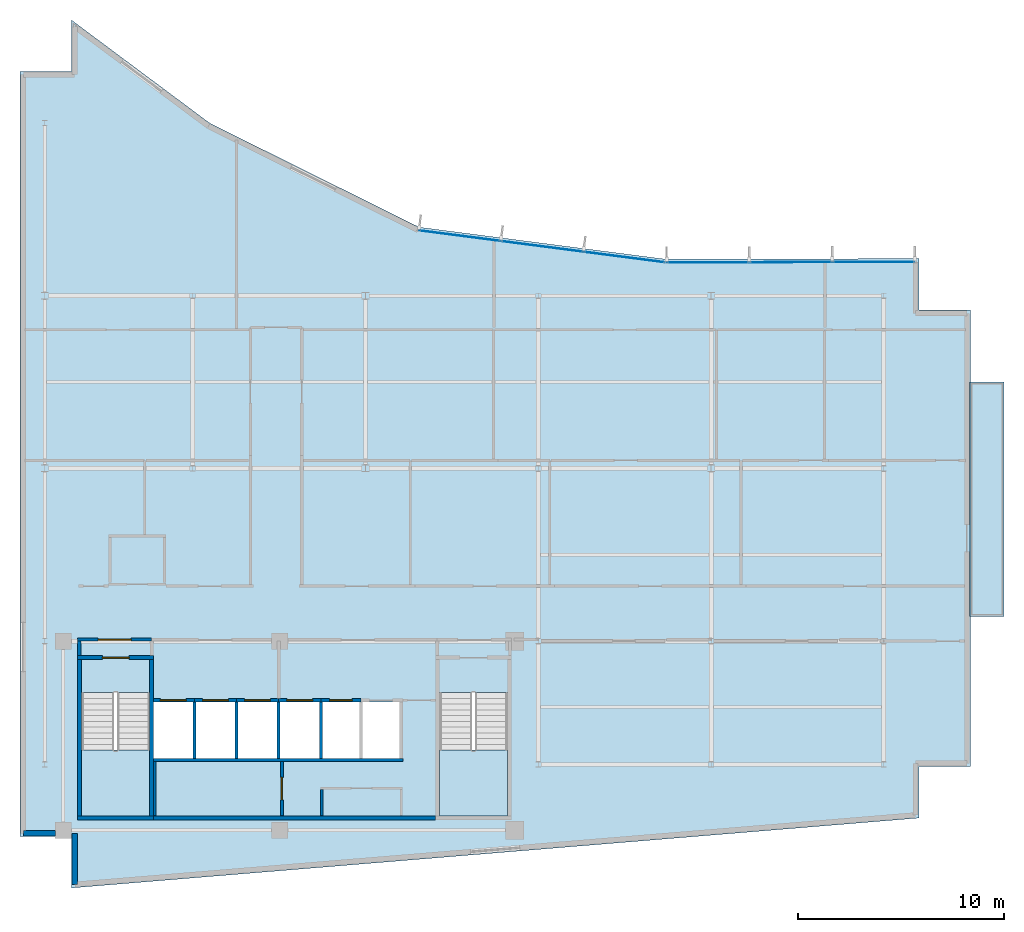
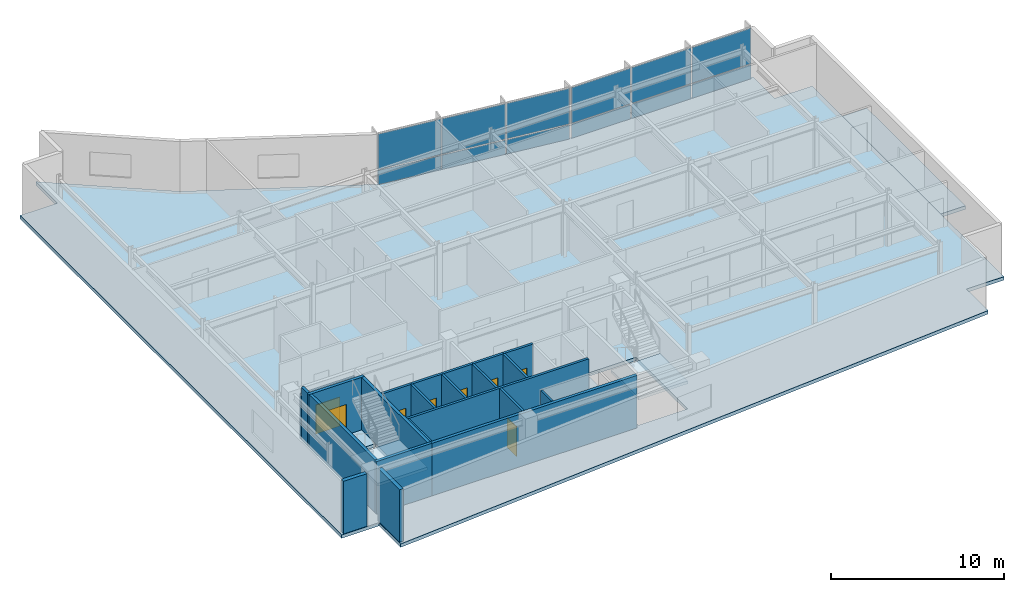
# One storey, part 9 of 15: 22 walls, 12 plates, 8 doors, 4 slabs, 8 openings, 4 elements without a shape of their own.
"""IFC4 building model written with IfcOpenShell, lengths in metres."""

from ifc_helpers import new_model, si_unit, direction, frame, frame_2d, origin, origin_2d, place, context, subcontext, project, spatial, polyline, rectangle, outline, extrude, material, layer, layer_set, type_object, element, fill, aggregate, save


model = new_model("IFC4")

# Units and contexts
model_context = context("Model", 3, precision=1e-05, world=origin(), true_north=direction((0.0, 1.0)))
body_context = subcontext(model_context, "Body", "Model", "MODEL_VIEW")
ifc_project = project(units=[si_unit("LENGTHUNIT", "METRE"), si_unit("AREAUNIT", "SQUARE_METRE"), si_unit("VOLUMEUNIT", "CUBIC_METRE"), si_unit("PLANEANGLEUNIT", "RADIAN"), si_unit("MASSUNIT", "GRAM", prefix="KILO")], contexts=[model_context])

# Site, building, storey
site_placement = place(None, origin())
site = spatial("IfcSite", under=ifc_project, at=site_placement, CompositionType="ELEMENT")
building_placement = place(site_placement, origin())
building = spatial("IfcBuilding", under=site, at=building_placement, Name="Varnakote Quay Hospital", CompositionType="ELEMENT")
storey_placement = place(building_placement, frame((0.0, 0.0, 244.699951171875)))
storey = spatial("IfcBuildingStorey", under=building, at=storey_placement, Name="L60", CompositionType="ELEMENT", Elevation=244.699951171875)

# Curtain wall, plates
ifc_material_1 = material(Name="Anodised aluminium 6063-T6 Bronze", Category="aluminium")
ifc_layer_1 = layer(ifc_material_1, 0.235107421875)
ifc_layer_set_1 = layer_set([ifc_layer_1], Name="Anodised aluminium 6063-T6 Bronze")
curtain_wall_type = type_object("IfcCurtainWallType", Name="CW-SYS-5", PredefinedType="NOTDEFINED", material=ifc_layer_set_1)
curtain_wall_1_placement = place(storey_placement, origin())
curtain_wall_1 = element("IfcCurtainWall", 1, at=curtain_wall_1_placement, inside=storey, type_object=curtain_wall_type, Name="L60 Unitised Bronze Curtain Wall 1", PredefinedType="NOTDEFINED")
ifc_material_2 = material(Name="Double-glazed low-E solar glass", Category="glass")
ifc_layer_2 = layer(ifc_material_2, 0.028076171875)
ifc_layer_set_2 = layer_set([ifc_layer_2], Name="Double-glazed low-E solar glass")
plate_type = type_object("IfcPlateType", Name="CW-PNL-GLZ-28", PredefinedType="CURTAIN_PANEL", material=ifc_layer_set_2)
plate_1_placement = place(storey_placement, frame((41.50146484375, 30.434326171875, 0.065185546875), z_axis=(0.0, 0.0, 1.0), x_axis=(-0.999996609008, -0.002604222224, 0.0)))
plate_1 = element("IfcPlate", 2, at=plate_1_placement, type_object=plate_type, Name="-5-L60-1 panel 1.1", PredefinedType="CURTAIN_PANEL", context=body_context, shape_type="SweptSolid", body=[
    extrude(rectangle(XDim=3.947265625, YDim=0.028076171875, at=origin_2d()), origin(), (0.0, 0.0, 1.0), 1.00244140625),
])
plate_2_placement = place(storey_placement, frame((41.50146484375, 30.434326171875, 1.1328125), z_axis=(0.0, 0.0, 1.0), x_axis=(-0.999996609008, -0.002604222224, 0.0)))
plate_2 = element("IfcPlate", 3, at=plate_2_placement, type_object=plate_type, Name="-5-L60-1 panel 1.2", PredefinedType="CURTAIN_PANEL", context=body_context, shape_type="SweptSolid", body=[
    extrude(rectangle(XDim=3.947265625, YDim=0.028076171875, at=origin_2d()), origin(), (0.0, 0.0, 1.0), 2.512451171875),
])
plate_3_placement = place(storey_placement, frame((37.472900390625, 30.423828125, 0.065185546875), z_axis=(0.0, 0.0, 1.0), x_axis=(-0.999996609008, -0.002604222224, 0.0)))
plate_3 = element("IfcPlate", 4, at=plate_3_placement, type_object=plate_type, Name="-5-L60-1 panel 2.1", PredefinedType="CURTAIN_PANEL", context=body_context, shape_type="SweptSolid", body=[
    extrude(rectangle(XDim=3.979736328125, YDim=0.028076171875, at=origin_2d()), origin(), (0.0, 0.0, 1.0), 1.00244140625),
])
plate_4_placement = place(storey_placement, frame((37.472900390625, 30.423828125, 1.1328125), z_axis=(0.0, 0.0, 1.0), x_axis=(-0.999996609008, -0.002604222224, 0.0)))
plate_4 = element("IfcPlate", 5, at=plate_4_placement, type_object=plate_type, Name="-5-L60-1 panel 2.2", PredefinedType="CURTAIN_PANEL", context=body_context, shape_type="SweptSolid", body=[
    extrude(rectangle(XDim=3.979736328125, YDim=0.028076171875, at=origin_2d()), origin(), (0.0, 0.0, 1.0), 2.512451171875),
])
plate_5_placement = place(storey_placement, frame((33.444580078125, 30.413330078125, 0.065185546875), z_axis=(0.0, 0.0, 1.0), x_axis=(-0.999996609008, -0.002604222224, 0.0)))
plate_5 = element("IfcPlate", 6, at=plate_5_placement, type_object=plate_type, Name="-5-L60-1 panel 3.1", PredefinedType="CURTAIN_PANEL", context=body_context, shape_type="SweptSolid", body=[
    extrude(rectangle(XDim=3.947265625, YDim=0.028076171875, at=origin_2d()), origin(), (0.0, 0.0, 1.0), 1.00244140625),
])
plate_6_placement = place(storey_placement, frame((33.444580078125, 30.413330078125, 1.1328125), z_axis=(0.0, 0.0, 1.0), x_axis=(-0.999996609008, -0.002604222224, 0.0)))
plate_6 = element("IfcPlate", 7, at=plate_6_placement, type_object=plate_type, Name="-5-L60-1 panel 3.2", PredefinedType="CURTAIN_PANEL", context=body_context, shape_type="SweptSolid", body=[
    extrude(rectangle(XDim=3.947265625, YDim=0.028076171875, at=origin_2d()), origin(), (0.0, 0.0, 1.0), 2.512451171875),
])
aggregate(curtain_wall_1, [plate_1, plate_2, plate_3, plate_4, plate_5, plate_6])

curtain_wall_2_placement = place(storey_placement, origin())
curtain_wall_2 = element("IfcCurtainWall", 8, at=curtain_wall_2_placement, inside=storey, type_object=curtain_wall_type, Name="L60 Unitised Bronze Curtain Wall 2", PredefinedType="NOTDEFINED")
plate_7_placement = place(storey_placement, frame((29.381591796875, 30.6708984375, 0.065185546875), z_axis=(0.0, 0.0, 1.0), x_axis=(-0.99167226464, 0.128787109389, 0.0)))
plate_7 = element("IfcPlate", 9, at=plate_7_placement, type_object=plate_type, Name="-5-L60-2 panel 1.1", PredefinedType="CURTAIN_PANEL", context=body_context, shape_type="SweptSolid", body=[
    extrude(rectangle(XDim=3.95263671875, YDim=0.028076171875, at=origin_2d()), origin(), (0.0, 0.0, 1.0), 1.00244140625),
])
plate_8_placement = place(storey_placement, frame((29.381591796875, 30.6708984375, 1.1328125), z_axis=(0.0, 0.0, 1.0), x_axis=(-0.99167226464, 0.128787109389, 0.0)))
plate_8 = element("IfcPlate", 10, at=plate_8_placement, type_object=plate_type, Name="-5-L60-2 panel 1.2", PredefinedType="CURTAIN_PANEL", context=body_context, shape_type="SweptSolid", body=[
    extrude(rectangle(XDim=3.95263671875, YDim=0.028076171875, at=origin_2d()), origin(), (0.0, 0.0, 1.0), 2.512451171875),
])
plate_9_placement = place(storey_placement, frame((25.38134765625, 31.1904296875, 0.065185546875), z_axis=(0.0, 0.0, 1.0), x_axis=(-0.99167226464, 0.128787109389, 0.0)))
plate_9 = element("IfcPlate", 11, at=plate_9_placement, type_object=plate_type, Name="-5-L60-2 panel 2.1", PredefinedType="CURTAIN_PANEL", context=body_context, shape_type="SweptSolid", body=[
    extrude(rectangle(XDim=3.985107421875, YDim=0.028076171875, at=origin_2d()), origin(), (0.0, 0.0, 1.0), 1.00244140625),
])
plate_10_placement = place(storey_placement, frame((25.38134765625, 31.1904296875, 1.1328125), z_axis=(0.0, 0.0, 1.0), x_axis=(-0.99167226464, 0.128787109389, 0.0)))
plate_10 = element("IfcPlate", 12, at=plate_10_placement, type_object=plate_type, Name="-5-L60-2 panel 2.2", PredefinedType="CURTAIN_PANEL", context=body_context, shape_type="SweptSolid", body=[
    extrude(rectangle(XDim=3.985107421875, YDim=0.028076171875, at=origin_2d()), origin(), (0.0, 0.0, 1.0), 2.512451171875),
])
plate_11_placement = place(storey_placement, frame((21.381103515625, 31.7099609375, 0.065185546875), z_axis=(0.0, 0.0, 1.0), x_axis=(-0.99167226464, 0.128787109389, 0.0)))
plate_11 = element("IfcPlate", 13, at=plate_11_placement, type_object=plate_type, Name="-5-L60-2 panel 3.1", PredefinedType="CURTAIN_PANEL", context=body_context, shape_type="SweptSolid", body=[
    extrude(rectangle(XDim=3.95263671875, YDim=0.028076171875, at=origin_2d()), origin(), (0.0, 0.0, 1.0), 1.00244140625),
])
plate_12_placement = place(storey_placement, frame((21.381103515625, 31.7099609375, 1.1328125), z_axis=(0.0, 0.0, 1.0), x_axis=(-0.99167226464, 0.128787109389, 0.0)))
plate_12 = element("IfcPlate", 14, at=plate_12_placement, type_object=plate_type, Name="-5-L60-2 panel 3.2", PredefinedType="CURTAIN_PANEL", context=body_context, shape_type="SweptSolid", body=[
    extrude(rectangle(XDim=3.95263671875, YDim=0.028076171875, at=origin_2d()), origin(), (0.0, 0.0, 1.0), 2.512451171875),
])
aggregate(curtain_wall_2, [plate_7, plate_8, plate_9, plate_10, plate_11, plate_12])

# Stair, slab
ifc_material_3 = material(Name="Concrete N40 (f'c 40 MPa)", Category="concrete")
stair_type = type_object("IfcStairType", Name="STR-CORE-1580", PredefinedType="HALF_TURN_STAIR", material=ifc_material_3)
stair_1_placement = place(storey_placement, origin())
stair_1 = element("IfcStair", 15, at=stair_1_placement, inside=storey, type_object=stair_type, Name="L60 Fire-Isolated Exit Stair ST-01", PredefinedType="HALF_TURN_STAIR")
ifc_material_4 = material(Name="Concrete N40 (f'c 40 MPa)", Category="concrete")
ifc_layer_3 = layer(ifc_material_4, 0.199951171875)
ifc_layer_set_3 = layer_set([ifc_layer_3], Name="Concrete N40 (f'c 40 MPa)")
slab_type_1 = type_object("IfcSlabType", Name="SLB-STAIR-LND-200", PredefinedType="LANDING", material=ifc_layer_set_3)
slab_1_placement = place(storey_placement, frame((0.0, 0.0, 1.775146484375)))
slab_1 = element("IfcSlab", 16, at=slab_1_placement, type_object=slab_type_1, Name="ST-01 landing 1", PredefinedType="LANDING", context=body_context, shape_type="SweptSolid", body=[
    extrude(outline(polyline([(3.0, 6.699951171875), (3.0, 3.5), (6.300048828125, 3.5), (6.300048828125, 6.699951171875), (3.0, 6.699951171875)])), origin(), (0.0, 0.0, 1.0), 0.199951171875),
])
aggregate(stair_1, [slab_1])

stair_2_placement = place(storey_placement, origin())
stair_2 = element("IfcStair", 17, at=stair_2_placement, inside=storey, type_object=stair_type, Name="L60 Fire-Isolated Exit Stair ST-02", PredefinedType="HALF_TURN_STAIR")
slab_2_placement = place(storey_placement, frame((0.0, 0.0, 1.775146484375)))
slab_2 = element("IfcSlab", 18, at=slab_2_placement, type_object=slab_type_1, Name="ST-02 landing 1", PredefinedType="LANDING", context=body_context, shape_type="SweptSolid", body=[
    extrude(outline(polyline([(20.39990234375, 6.699951171875), (20.39990234375, 3.5), (23.699951171875, 3.5), (23.699951171875, 6.699951171875), (20.39990234375, 6.699951171875)])), origin(), (0.0, 0.0, 1.0), 0.199951171875),
])
aggregate(stair_2, [slab_2])

# Slabs
ifc_material_5 = material(Name="Concrete N50 (f'c 50 MPa)", Category="concrete")
ifc_layer_4 = layer(ifc_material_5, 0.239990234375)
ifc_layer_set_4 = layer_set([ifc_layer_4], Name="Concrete N50 (f'c 50 MPa)")
slab_type_2 = type_object("IfcSlabType", Name="SLB-TERR-200", PredefinedType="FLOOR", material=ifc_layer_set_4)
slab_3_placement = place(storey_placement, frame((0.0, 0.0, -0.239990234375)))
element("IfcSlab", 19, at=slab_3_placement, inside=storey, type_object=slab_type_2, Name="L60 Waterfront Healing Terrace Slab", PredefinedType="FLOOR", context=body_context, shape_type="SweptSolid", body=[
    extrude(outline(polyline([(46.196044921875, 24.60009765625), (46.196044921875, 13.199951171875), (47.840087890625, 13.199951171875), (47.840087890625, 24.60009765625), (46.196044921875, 24.60009765625)])), origin(), (0.0, 0.0, 1.0), 0.239990234375),
])
ifc_material_6 = material(Name="Concrete N50 (f'c 50 MPa)", Category="concrete")
ifc_layer_5 = layer(ifc_material_6, 0.239990234375)
ifc_layer_set_5 = layer_set([ifc_layer_5], Name="Concrete N50 (f'c 50 MPa)")
slab_type_3 = type_object("IfcSlabType", Name="SLB-WARD-200", PredefinedType="FLOOR", material=ifc_layer_set_5)
slab_4_placement = place(storey_placement, frame((0.0, 0.0, -0.239990234375)))
element("IfcSlab", 20, at=slab_4_placement, inside=storey, type_object=slab_type_3, Name="L60 Primary Floor Slab", PredefinedType="FLOOR", context=body_context, shape_type="SweptSolid", body=[
    extrude(outline(polyline([(0.0, 2.5), (2.5, 2.5), (2.5, 0.0), (43.699951171875, 3.39990234375), (43.699951171875, 5.89990234375), (46.199951171875, 5.89990234375), (46.199951171875, 28.10009765625), (43.699951171875, 28.10009765625), (43.699951171875, 30.60009765625), (31.416015625, 30.568115234375), (19.404052734375, 32.1279296875), (9.239990234375, 37.176025390625), (2.5, 42.199951171875), (2.5, 39.699951171875), (0.0, 39.699951171875), (0.0, 2.5)]), holes=[polyline([(3.0, 3.5), (6.300048828125, 3.5), (6.300048828125, 9.49951171875), (3.0, 9.49951171875), (3.0, 3.5)]), polyline([(20.39990234375, 3.5), (23.699951171875, 3.5), (23.699951171875, 9.49951171875), (20.39990234375, 9.49951171875), (20.39990234375, 3.5)]), polyline([(6.5, 6.300048828125), (8.39990234375, 6.300048828125), (8.39990234375, 9.050048828125), (6.5, 9.050048828125), (6.5, 6.300048828125)]), polyline([(8.550048828125, 6.300048828125), (10.449951171875, 6.300048828125), (10.449951171875, 9.050048828125), (8.550048828125, 9.050048828125), (8.550048828125, 6.300048828125)]), polyline([(10.60009765625, 6.300048828125), (12.5, 6.300048828125), (12.5, 9.050048828125), (10.60009765625, 9.050048828125), (10.60009765625, 6.300048828125)]), polyline([(12.64990234375, 6.300048828125), (14.550048828125, 6.300048828125), (14.550048828125, 9.050048828125), (12.64990234375, 9.050048828125), (12.64990234375, 6.300048828125)]), polyline([(14.699951171875, 6.300048828125), (16.5, 6.300048828125), (16.5, 9.050048828125), (14.699951171875, 9.050048828125), (14.699951171875, 6.300048828125)]), polyline([(16.64990234375, 6.300048828125), (18.449951171875, 6.300048828125), (18.449951171875, 9.050048828125), (16.64990234375, 9.050048828125), (16.64990234375, 6.300048828125)])]), origin(), (0.0, 0.0, 1.0), 0.239990234375),
])

# Wall
ifc_material_7 = material(Name="Fire-rated acoustic gypsum stud wall", Category="gypsum")
ifc_layer_6 = layer(ifc_material_7, 0.159912109375)
ifc_layer_set_6 = layer_set([ifc_layer_6], Name="Fire-rated acoustic gypsum stud wall")
wall_type_1 = type_object("IfcWallType", Name="WL-COMP-160", PredefinedType="PARTITIONING", material=ifc_layer_set_6)
wall_1_placement = place(storey_placement, frame((2.8798828125, 11.300048828125, 0.0), z_axis=(0.0, 0.0, 1.0), x_axis=(0.0, 1.0, 0.0)))
element("IfcWall", 21, at=wall_1_placement, inside=storey, type_object=wall_type_1, Name="L60 West Stair Vestibule West Wall", PredefinedType="PARTITIONING", context=body_context, shape_type="SweptSolid", body=[
    extrude(rectangle(XDim=0.699951171875, YDim=0.159912109375, at=frame_2d((0.35009765625, 0.0))), origin(), (0.0, 0.0, 1.0), 3.7099609375),
])

# Wall, opening, door
wall_2_placement = place(storey_placement, frame((2.800048828125, 12.080078125, 0.0), z_axis=(0.0, 0.0, 1.0), x_axis=(1.0, 0.0, 0.0)))
wall_2 = element("IfcWall", 22, at=wall_2_placement, inside=storey, type_object=wall_type_1, Name="L60 West Stair Vestibule Smoke Wall", PredefinedType="PARTITIONING", context=body_context, shape_type="SweptSolid", body=[
    extrude(rectangle(XDim=3.599853515625, YDim=0.159912109375, at=frame_2d((1.7998046875, 0.0))), origin(), (0.0, 0.0, 1.0), 3.156982421875),
])
opening_1_placement = place(wall_2_placement, frame((1.0, 0.0, 0.0)))
opening_1 = element("IfcOpeningElement", 23, at=opening_1_placement, cuts=wall_2, Name="Opening D-ST1L-L60", PredefinedType="OPENING", context=body_context, shape_type="SweptSolid", body=[
    extrude(rectangle(XDim=1.60009765625, YDim=2.050048828125, at=frame_2d((0.800048828125, 1.02490234375))), frame((0.0, 0.08984375, 0.0), z_axis=(0.0, -1.0, 0.0), x_axis=(1.0, 0.0, 0.0)), (0.0, 0.0, 1.0), 0.179931640625),
])
ifc_material_8 = material(Name="Fire-rated double smoke lobby door")
door_type_1 = type_object("IfcDoorType", Name="DR-LOBBY-FD60S-1600x2150", OperationType="NOTDEFINED", PredefinedType="DOOR", material=ifc_material_8)
door_1_placement = place(opening_1_placement, origin())
door_1 = element("IfcDoor", 24, at=door_1_placement, inside=storey, type_object=door_type_1, Name="L60 West Stair Vestibule Smoke Door", OperationType="DOUBLE_DOOR_SINGLE_SWING", OverallHeight=2.050048828125, OverallWidth=1.60009765625, PredefinedType="DOOR", context=body_context, shape_type="SweptSolid", body=[
    extrude(rectangle(XDim=1.60009765625, YDim=2.050048828125, at=frame_2d((0.800048828125, 1.02490234375))), frame((0.0, 0.02490234375, 0.0), z_axis=(0.0, -1.0, 0.0), x_axis=(1.0, 0.0, 0.0)), (0.0, 0.0, 1.0), 0.050048828125),
])
fill(opening_1, door_1)

# Walls
ifc_material_9 = material(Name="Concrete N50 (f'c 50 MPa)", Category="concrete")
ifc_layer_7 = layer(ifc_material_9, 0.199951171875)
ifc_layer_set_7 = layer_set([ifc_layer_7], Name="Concrete N50 (f'c 50 MPa)")
wall_type_2 = type_object("IfcWallType", Name="WL-CORE-N50-200", PredefinedType="SHEAR", material=ifc_layer_set_7)
wall_3_placement = place(storey_placement, frame((6.5, 3.39990234375, 0.0), z_axis=(0.0, 0.0, 1.0), x_axis=(1.0, 0.0, 0.0)))
element("IfcWall", 25, at=wall_3_placement, inside=storey, type_object=wall_type_2, Name="L60 Rear Core South Shear Wall", PredefinedType="SHEAR", context=body_context, shape_type="SweptSolid", body=[
    extrude(rectangle(XDim=13.699951171875, YDim=0.199951171875, at=frame_2d((6.85009765625, 0.0))), origin(), (0.0, 0.0, 1.0), 3.7099609375),
])
ifc_material_10 = material(Name="Precast concrete N50 (f'c 50 MPa)", Category="concrete")
ifc_layer_8 = layer(ifc_material_10, 0.260009765625)
ifc_layer_set_8 = layer_set([ifc_layer_8], Name="Precast concrete N50 (f'c 50 MPa)")
wall_type_3 = type_object("IfcWallType", Name="WL-EXT-BRICK-260", PredefinedType="STANDARD", material=ifc_layer_set_8)
wall_4_placement = place(storey_placement, frame((2.659912109375, 2.659912109375, 0.0), z_axis=(0.0, 0.0, 1.0), x_axis=(0.0, -1.0, 0.0)))
element("IfcWall", 26, at=wall_4_placement, inside=storey, type_object=wall_type_3, Name="L60 Brick-Faced Precast Exterior Wall", PredefinedType="STANDARD", context=body_context, shape_type="SweptSolid", body=[
    extrude(rectangle(XDim=2.486328125, YDim=0.260009765625, at=frame_2d((1.2431640625, 0.0))), origin(), (0.0, 0.0, 1.0), 3.7099609375),
])
wall_5_placement = place(storey_placement, frame((0.159912109375, 2.659912109375, 0.0), z_axis=(0.0, 0.0, 1.0), x_axis=(1.0, 0.0, 0.0)))
element("IfcWall", 27, at=wall_5_placement, inside=storey, type_object=wall_type_3, Name="L60 Brick-Faced Precast Exterior Wall", PredefinedType="STANDARD", context=body_context, shape_type="SweptSolid", body=[
    extrude(rectangle(XDim=1.55517578125, YDim=0.260009765625, at=frame_2d((0.777587890625, 0.0))), origin(), (0.0, 0.0, 1.0), 3.7099609375),
])
ifc_material_11 = material(Name="Concrete N50 (f'c 50 MPa)", Category="concrete")
ifc_layer_9 = layer(ifc_material_11, 0.14990234375)
ifc_layer_set_9 = layer_set([ifc_layer_9], Name="Concrete N50 (f'c 50 MPa)")
wall_type_4 = type_object("IfcWallType", Name="WL-SHAFT-N50-150", PredefinedType="SHEAR", material=ifc_layer_set_9)
for number, where, z_axis, x_axis, name in (
    (28, (8.47509765625, 6.300048828125, 0.0), (0.0, 0.0, 1.0), (0.0, 1.0, 0.0), "L60 LF-FF1 Hoistway Divider Wall"),
    (29, (10.52490234375, 6.300048828125, 0.0), (0.0, 0.0, 1.0), (0.0, 1.0, 0.0), "L60 LF-FF2 Hoistway Divider Wall"),
    (30, (12.574951171875, 6.300048828125, 0.0), (0.0, 0.0, 1.0), (0.0, 1.0, 0.0), "L60 LF-SV1 Hoistway Divider Wall"),
    (31, (14.625, 6.300048828125, 0.0), (0.0, 0.0, 1.0), (0.0, 1.0, 0.0), "L60 LF-SV2 Hoistway Divider Wall"),
):
    element("IfcWall", number, at=place(storey_placement, frame(where, z_axis=z_axis, x_axis=x_axis)), inside=storey, type_object=wall_type_4, Name=name, PredefinedType="SHEAR", context=body_context, shape_type="SweptSolid", body=[
        extrude(rectangle(XDim=2.75, YDim=0.14990234375, at=frame_2d((1.375, 0.0))), origin(), (0.0, 0.0, 1.0), 3.7099609375),
    ])
ifc_material_12 = material(Name="Concrete N50 (f'c 50 MPa)", Category="concrete")
ifc_layer_10 = layer(ifc_material_12, 0.159912109375)
ifc_layer_set_10 = layer_set([ifc_layer_10], Name="Concrete N50 (f'c 50 MPa)")
wall_type_5 = type_object("IfcWallType", Name="WL-SHAFT-N50-160", PredefinedType="SHEAR", material=ifc_layer_set_10)
wall_6_placement = place(storey_placement, frame((6.5, 6.219970703125, 0.0), z_axis=(0.0, 0.0, 1.0), x_axis=(1.0, 0.0, 0.0)))
element("IfcWall", 32, at=wall_6_placement, inside=storey, type_object=wall_type_5, Name="L60 REAR Lift Bank Back Shear Wall", PredefinedType="SHEAR", context=body_context, shape_type="SweptSolid", body=[
    extrude(rectangle(XDim=12.110107421875, YDim=0.159912109375, at=frame_2d((6.05517578125, 0.0))), origin(), (0.0, 0.0, 1.0), 3.7099609375),
])

# Wall, opening, door
wall_7_placement = place(storey_placement, frame((6.5, 9.1298828125, 0.0), z_axis=(0.0, 0.0, 1.0), x_axis=(1.0, 0.0, 0.0)))
wall_7 = element("IfcWall", 33, at=wall_7_placement, inside=storey, type_object=wall_type_5, Name="L60 LF-FF1 Hoistway Front Wall", PredefinedType="SHEAR", context=body_context, shape_type="SweptSolid", body=[
    extrude(rectangle(XDim=1.97509765625, YDim=0.159912109375, at=frame_2d((0.987548828125, 0.0))), origin(), (0.0, 0.0, 1.0), 3.7099609375),
])
opening_2_placement = place(wall_7_placement, frame((0.324951171875, 0.0, 0.0)))
opening_2 = element("IfcOpeningElement", 34, at=opening_2_placement, cuts=wall_7, Name="Opening LD-FF1-L60", PredefinedType="OPENING", context=body_context, shape_type="SweptSolid", body=[
    extrude(rectangle(XDim=1.25, YDim=2.14990234375, at=frame_2d((0.625, 1.074951171875))), frame((0.0, 0.08984375, 0.0), z_axis=(0.0, -1.0, 0.0), x_axis=(1.0, 0.0, 0.0)), (0.0, 0.0, 1.0), 0.179931640625),
])
ifc_material_13 = material(Name="Stainless steel lift landing sliding door", Category="steel")
door_type_2 = type_object("IfcDoorType", Name="DR-LIFT-LD-1250x2150", OperationType="NOTDEFINED", PredefinedType="DOOR", material=ifc_material_13)
door_2_placement = place(opening_2_placement, origin())
door_2 = element("IfcDoor", 35, at=door_2_placement, inside=storey, type_object=door_type_2, Name="L60 LF-FF1 Lift Landing Sliding Door", OperationType="SLIDING_TO_LEFT", OverallHeight=2.14990234375, OverallWidth=1.25, PredefinedType="DOOR", context=body_context, shape_type="SweptSolid", body=[
    extrude(rectangle(XDim=1.25, YDim=2.14990234375, at=frame_2d((0.625, 1.074951171875))), frame((0.0, 0.02490234375, 0.0), z_axis=(0.0, -1.0, 0.0), x_axis=(1.0, 0.0, 0.0)), (0.0, 0.0, 1.0), 0.050048828125),
])
fill(opening_2, door_2)

wall_8_placement = place(storey_placement, frame((8.47509765625, 9.1298828125, 0.0), z_axis=(0.0, 0.0, 1.0), x_axis=(1.0, 0.0, 0.0)))
wall_8 = element("IfcWall", 36, at=wall_8_placement, inside=storey, type_object=wall_type_5, Name="L60 LF-FF2 Hoistway Front Wall", PredefinedType="SHEAR", context=body_context, shape_type="SweptSolid", body=[
    extrude(rectangle(XDim=2.0498046875, YDim=0.159912109375, at=frame_2d((1.02490234375, 0.0))), origin(), (0.0, 0.0, 1.0), 3.7099609375),
])
opening_3_placement = place(wall_8_placement, frame((0.39990234375, 0.0, 0.0)))
opening_3 = element("IfcOpeningElement", 37, at=opening_3_placement, cuts=wall_8, Name="Opening LD-FF2-L60", PredefinedType="OPENING", context=body_context, shape_type="SweptSolid", body=[
    extrude(rectangle(XDim=1.25, YDim=2.14990234375, at=frame_2d((0.625, 1.074951171875))), frame((0.0, 0.08984375, 0.0), z_axis=(0.0, -1.0, 0.0), x_axis=(1.0, 0.0, 0.0)), (0.0, 0.0, 1.0), 0.179931640625),
])
door_3_placement = place(opening_3_placement, origin())
door_3 = element("IfcDoor", 38, at=door_3_placement, inside=storey, type_object=door_type_2, Name="L60 LF-FF2 Lift Landing Sliding Door", OperationType="SLIDING_TO_LEFT", OverallHeight=2.14990234375, OverallWidth=1.25, PredefinedType="DOOR", context=body_context, shape_type="SweptSolid", body=[
    extrude(rectangle(XDim=1.25, YDim=2.14990234375, at=frame_2d((0.625, 1.074951171875))), frame((0.0, 0.02490234375, 0.0), z_axis=(0.0, -1.0, 0.0), x_axis=(1.0, 0.0, 0.0)), (0.0, 0.0, 1.0), 0.050048828125),
])
fill(opening_3, door_3)

wall_9_placement = place(storey_placement, frame((10.52490234375, 9.1298828125, 0.0), z_axis=(0.0, 0.0, 1.0), x_axis=(1.0, 0.0, 0.0)))
wall_9 = element("IfcWall", 39, at=wall_9_placement, inside=storey, type_object=wall_type_5, Name="L60 LF-SV1 Hoistway Front Wall", PredefinedType="SHEAR", context=body_context, shape_type="SweptSolid", body=[
    extrude(rectangle(XDim=2.050048828125, YDim=0.159912109375, at=frame_2d((1.02490234375, 0.0))), origin(), (0.0, 0.0, 1.0), 3.7099609375),
])
opening_4_placement = place(wall_9_placement, frame((0.39990234375, 0.0, 0.0)))
opening_4 = element("IfcOpeningElement", 40, at=opening_4_placement, cuts=wall_9, Name="Opening LD-SV1-L60", PredefinedType="OPENING", context=body_context, shape_type="SweptSolid", body=[
    extrude(rectangle(XDim=1.25, YDim=2.14990234375, at=frame_2d((0.625, 1.074951171875))), frame((0.0, 0.08984375, 0.0), z_axis=(0.0, -1.0, 0.0), x_axis=(1.0, 0.0, 0.0)), (0.0, 0.0, 1.0), 0.179931640625),
])
door_4_placement = place(opening_4_placement, origin())
door_4 = element("IfcDoor", 41, at=door_4_placement, inside=storey, type_object=door_type_2, Name="L60 LF-SV1 Lift Landing Sliding Door", OperationType="SLIDING_TO_LEFT", OverallHeight=2.14990234375, OverallWidth=1.25, PredefinedType="DOOR", context=body_context, shape_type="SweptSolid", body=[
    extrude(rectangle(XDim=1.25, YDim=2.14990234375, at=frame_2d((0.625, 1.074951171875))), frame((0.0, 0.02490234375, 0.0), z_axis=(0.0, -1.0, 0.0), x_axis=(1.0, 0.0, 0.0)), (0.0, 0.0, 1.0), 0.050048828125),
])
fill(opening_4, door_4)

wall_10_placement = place(storey_placement, frame((12.574951171875, 9.1298828125, 0.0), z_axis=(0.0, 0.0, 1.0), x_axis=(1.0, 0.0, 0.0)))
wall_10 = element("IfcWall", 42, at=wall_10_placement, inside=storey, type_object=wall_type_5, Name="L60 LF-SV2 Hoistway Front Wall", PredefinedType="SHEAR", context=body_context, shape_type="SweptSolid", body=[
    extrude(rectangle(XDim=2.050048828125, YDim=0.159912109375, at=frame_2d((1.02490234375, 0.0))), origin(), (0.0, 0.0, 1.0), 3.7099609375),
])
opening_5_placement = place(wall_10_placement, frame((0.39990234375, 0.0, 0.0)))
opening_5 = element("IfcOpeningElement", 43, at=opening_5_placement, cuts=wall_10, Name="Opening LD-SV2-L60", PredefinedType="OPENING", context=body_context, shape_type="SweptSolid", body=[
    extrude(rectangle(XDim=1.25, YDim=2.14990234375, at=frame_2d((0.625, 1.074951171875))), frame((0.0, 0.08984375, 0.0), z_axis=(0.0, -1.0, 0.0), x_axis=(1.0, 0.0, 0.0)), (0.0, 0.0, 1.0), 0.179931640625),
])
door_5_placement = place(opening_5_placement, origin())
door_5 = element("IfcDoor", 44, at=door_5_placement, inside=storey, type_object=door_type_2, Name="L60 LF-SV2 Lift Landing Sliding Door", OperationType="SLIDING_TO_LEFT", OverallHeight=2.14990234375, OverallWidth=1.25, PredefinedType="DOOR", context=body_context, shape_type="SweptSolid", body=[
    extrude(rectangle(XDim=1.25, YDim=2.14990234375, at=frame_2d((0.625, 1.074951171875))), frame((0.0, 0.02490234375, 0.0), z_axis=(0.0, -1.0, 0.0), x_axis=(1.0, 0.0, 0.0)), (0.0, 0.0, 1.0), 0.050048828125),
])
fill(opening_5, door_5)

wall_11_placement = place(storey_placement, frame((14.625, 9.1298828125, 0.0), z_axis=(0.0, 0.0, 1.0), x_axis=(1.0, 0.0, 0.0)))
wall_11 = element("IfcWall", 45, at=wall_11_placement, inside=storey, type_object=wall_type_5, Name="L60 LF-PH1 Hoistway Front Wall", PredefinedType="SHEAR", context=body_context, shape_type="SweptSolid", body=[
    extrude(rectangle(XDim=1.949951171875, YDim=0.159912109375, at=frame_2d((0.97509765625, 0.0))), origin(), (0.0, 0.0, 1.0), 3.7099609375),
])
opening_6_placement = place(wall_11_placement, frame((0.425048828125, 0.0, 0.0)))
opening_6 = element("IfcOpeningElement", 46, at=opening_6_placement, cuts=wall_11, Name="Opening LD-PH1-L60", PredefinedType="OPENING", context=body_context, shape_type="SweptSolid", body=[
    extrude(rectangle(XDim=1.10009765625, YDim=2.14990234375, at=frame_2d((0.550048828125, 1.074951171875))), frame((0.0, 0.08984375, 0.0), z_axis=(0.0, -1.0, 0.0), x_axis=(1.0, 0.0, 0.0)), (0.0, 0.0, 1.0), 0.179931640625),
])
ifc_material_14 = material(Name="Brushed bronze lift landing sliding door")
door_type_3 = type_object("IfcDoorType", Name="DR-LIFT-LD-1100x2150", OperationType="NOTDEFINED", PredefinedType="DOOR", material=ifc_material_14)
door_6_placement = place(opening_6_placement, origin())
door_6 = element("IfcDoor", 47, at=door_6_placement, inside=storey, type_object=door_type_3, Name="L60 LF-PH1 Lift Landing Sliding Door", OperationType="SLIDING_TO_LEFT", OverallHeight=2.14990234375, OverallWidth=1.10009765625, PredefinedType="DOOR", context=body_context, shape_type="SweptSolid", body=[
    extrude(rectangle(XDim=1.10009765625, YDim=2.14990234375, at=frame_2d((0.550048828125, 1.074951171875))), frame((0.0, 0.02490234375, 0.0), z_axis=(0.0, -1.0, 0.0), x_axis=(1.0, 0.0, 0.0)), (0.0, 0.0, 1.0), 0.050048828125),
])
fill(opening_6, door_6)

# Walls
ifc_material_15 = material(Name="Concrete N50 (f'c 50 MPa)", Category="concrete")
ifc_layer_11 = layer(ifc_material_15, 0.199951171875)
ifc_layer_set_11 = layer_set([ifc_layer_11], Name="Concrete N50 (f'c 50 MPa)")
wall_type_6 = type_object("IfcWallType", Name="WL-SHAFT-N50-200", PredefinedType="SHEAR", material=ifc_layer_set_11)
wall_12_placement = place(storey_placement, frame((2.800048828125, 3.39990234375, 0.0), z_axis=(0.0, 0.0, 1.0), x_axis=(1.0, 0.0, 0.0)))
element("IfcWall", 48, at=wall_12_placement, inside=storey, type_object=wall_type_6, Name="L60 Stair ST1 South Shaft Wall", PredefinedType="SHEAR", context=body_context, shape_type="SweptSolid", body=[
    extrude(rectangle(XDim=3.699951171875, YDim=0.199951171875, at=frame_2d((1.85009765625, 0.0))), origin(), (0.0, 0.0, 1.0), 3.7099609375),
])
for number, where, z_axis, x_axis, name in (
    (49, (2.89990234375, 3.5, 0.0), (0.0, 0.0, 1.0), (0.0, 1.0, 0.0), "L60 Stair ST1 West Shaft Wall"),
    (50, (6.39990234375, 3.5, 0.0), (0.0, 0.0, 1.0), (0.0, 1.0, 0.0), "L60 Stair ST1 East Shaft Wall"),
):
    element("IfcWall", number, at=place(storey_placement, frame(where, z_axis=z_axis, x_axis=x_axis)), inside=storey, type_object=wall_type_6, Name=name, PredefinedType="SHEAR", context=body_context, shape_type="SweptSolid", body=[
        extrude(rectangle(XDim=7.60009765625, YDim=0.199951171875, at=frame_2d((3.800048828125, 0.0))), origin(), (0.0, 0.0, 1.0), 3.7099609375),
    ])

# Wall, opening, door
wall_13_placement = place(storey_placement, frame((2.800048828125, 11.199951171875, 0.0), z_axis=(0.0, 0.0, 1.0), x_axis=(1.0, 0.0, 0.0)))
wall_13 = element("IfcWall", 51, at=wall_13_placement, inside=storey, type_object=wall_type_6, Name="L60 Stair ST1 Exit Wall", PredefinedType="SHEAR", context=body_context, shape_type="SweptSolid", body=[
    extrude(rectangle(XDim=3.699951171875, YDim=0.199951171875, at=frame_2d((1.85009765625, 0.0))), origin(), (0.0, 0.0, 1.0), 3.7099609375),
])
opening_7_placement = place(wall_13_placement, frame((1.199951171875, 0.0, 0.0)))
opening_7 = element("IfcOpeningElement", 52, at=opening_7_placement, cuts=wall_13, Name="Opening D-ST1-L60", PredefinedType="OPENING", context=body_context, shape_type="SweptSolid", body=[
    extrude(rectangle(XDim=1.300048828125, YDim=2.14990234375, at=frame_2d((0.64990234375, 1.074951171875))), frame((0.0, 0.10986328125, 0.0), z_axis=(0.0, -1.0, 0.0), x_axis=(1.0, 0.0, 0.0)), (0.0, 0.0, 1.0), 0.219970703125),
])
ifc_material_16 = material(Name="Fire-rated ceramic-glazed timber exit door", Category="wood")
door_type_4 = type_object("IfcDoorType", Name="DR-STAIR-FD60S-1300x2150", OperationType="NOTDEFINED", PredefinedType="DOOR", material=ifc_material_16)
door_7_placement = place(opening_7_placement, origin())
door_7 = element("IfcDoor", 53, at=door_7_placement, inside=storey, type_object=door_type_4, Name="L60 Stair ST1 Fire Exit Door", OperationType="SINGLE_SWING_RIGHT", OverallHeight=2.14990234375, OverallWidth=1.300048828125, PredefinedType="DOOR", context=body_context, shape_type="SweptSolid", body=[
    extrude(rectangle(XDim=1.300048828125, YDim=2.14990234375, at=frame_2d((0.64990234375, 1.074951171875))), frame((0.0, 0.02490234375, 0.0), z_axis=(0.0, -1.0, 0.0), x_axis=(1.0, 0.0, 0.0)), (0.0, 0.0, 1.0), 0.050048828125),
])
fill(opening_7, door_7)

# Walls
ifc_material_17 = material(Name="Smoke-proof clinical partition", Category="gypsum")
ifc_layer_12 = layer(ifc_material_17, 0.1201171875)
ifc_layer_set_12 = layer_set([ifc_layer_12], Name="Smoke-proof clinical partition")
wall_type_7 = type_object("IfcWallType", Name="WL-SMOKE-120", PredefinedType="PARTITIONING", material=ifc_layer_set_12)
wall_14_placement = place(storey_placement, frame((6.56005859375, 3.52001953125, 0.0), z_axis=(0.0, 0.0, 1.0), x_axis=(0.0, 1.0, 0.0)))
element("IfcWall", 54, at=wall_14_placement, inside=storey, type_object=wall_type_7, Name="L60 Core West Store West Wall", PredefinedType="PARTITIONING", context=body_context, shape_type="SweptSolid", body=[
    extrude(rectangle(XDim=2.619873046875, YDim=0.1201171875, at=frame_2d((1.31005859375, 0.0))), origin(), (0.0, 0.0, 1.0), 3.7099609375),
])
wall_15_placement = place(storey_placement, frame((14.669921875, 3.52001953125, 0.0), z_axis=(0.0, 0.0, 1.0), x_axis=(0.0, 1.0, 0.0)))
element("IfcWall", 55, at=wall_15_placement, inside=storey, type_object=wall_type_7, Name="L60 Core WC West Wall", PredefinedType="PARTITIONING", context=body_context, shape_type="SweptSolid", body=[
    extrude(rectangle(XDim=1.260009765625, YDim=0.1201171875, at=frame_2d((0.6298828125, 0.0))), origin(), (0.0, 0.0, 1.0), 3.7099609375),
])

# Wall, opening, door
ifc_material_18 = material(Name="Fire-rated clinical gypsum partition", Category="gypsum")
ifc_layer_13 = layer(ifc_material_18, 0.139892578125)
ifc_layer_set_13 = layer_set([ifc_layer_13], Name="Fire-rated clinical gypsum partition")
wall_type_8 = type_object("IfcWallType", Name="WL-WARD-140", PredefinedType="PARTITIONING", material=ifc_layer_set_13)
wall_16_placement = place(storey_placement, frame((12.72998046875, 3.52001953125, 0.0), z_axis=(0.0, 0.0, 1.0), x_axis=(0.0, 1.0, 0.0)))
wall_16 = element("IfcWall", 56, at=wall_16_placement, inside=storey, type_object=wall_type_8, Name="L60 Core Clean Equipment Store East Wall", PredefinedType="PARTITIONING", context=body_context, shape_type="SweptSolid", body=[
    extrude(rectangle(XDim=2.619873046875, YDim=0.139892578125, at=frame_2d((1.31005859375, 0.0))), origin(), (0.0, 0.0, 1.0), 3.7099609375),
])
opening_8_placement = place(wall_16_placement, frame((0.760009765625, 0.0, 0.0)))
opening_8 = element("IfcOpeningElement", 57, at=opening_8_placement, cuts=wall_16, Name="Opening D-L60-CR01", PredefinedType="OPENING", context=body_context, shape_type="SweptSolid", body=[
    extrude(rectangle(XDim=1.10009765625, YDim=2.10009765625, at=frame_2d((0.550048828125, 1.050048828125))), frame((0.0, 0.079833984375, 0.0), z_axis=(0.0, -1.0, 0.0), x_axis=(1.0, 0.0, 0.0)), (0.0, 0.0, 1.0), 0.159912109375),
])
ifc_material_19 = material(Name="Acoustic timber clinical consult door", Category="wood")
door_type_5 = type_object("IfcDoorType", Name="DR-CLIN-FD30S-1100x2100", OperationType="NOTDEFINED", PredefinedType="DOOR", material=ifc_material_19)
door_8_placement = place(opening_8_placement, origin())
door_8 = element("IfcDoor", 58, at=door_8_placement, inside=storey, type_object=door_type_5, Name="L60 Core Clean Equipment Store Door", OperationType="SINGLE_SWING_RIGHT", OverallHeight=2.10009765625, OverallWidth=1.10009765625, PredefinedType="DOOR", context=body_context, shape_type="SweptSolid", body=[
    extrude(rectangle(XDim=1.10009765625, YDim=2.10009765625, at=frame_2d((0.550048828125, 1.050048828125))), frame((0.0, 0.02490234375, 0.0), z_axis=(0.0, -1.0, 0.0), x_axis=(1.0, 0.0, 0.0)), (0.0, 0.0, 1.0), 0.050048828125),
])
fill(opening_8, door_8)

save(model, "model.ifc")
